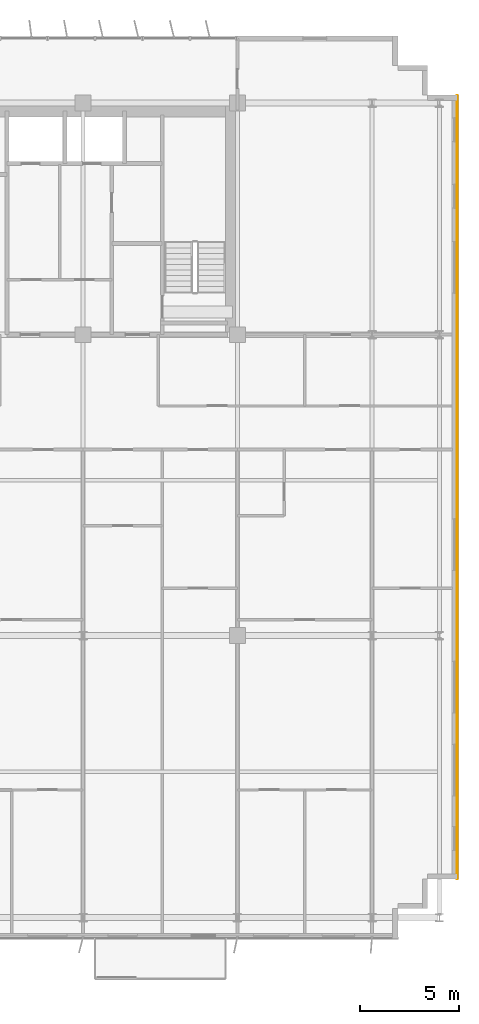
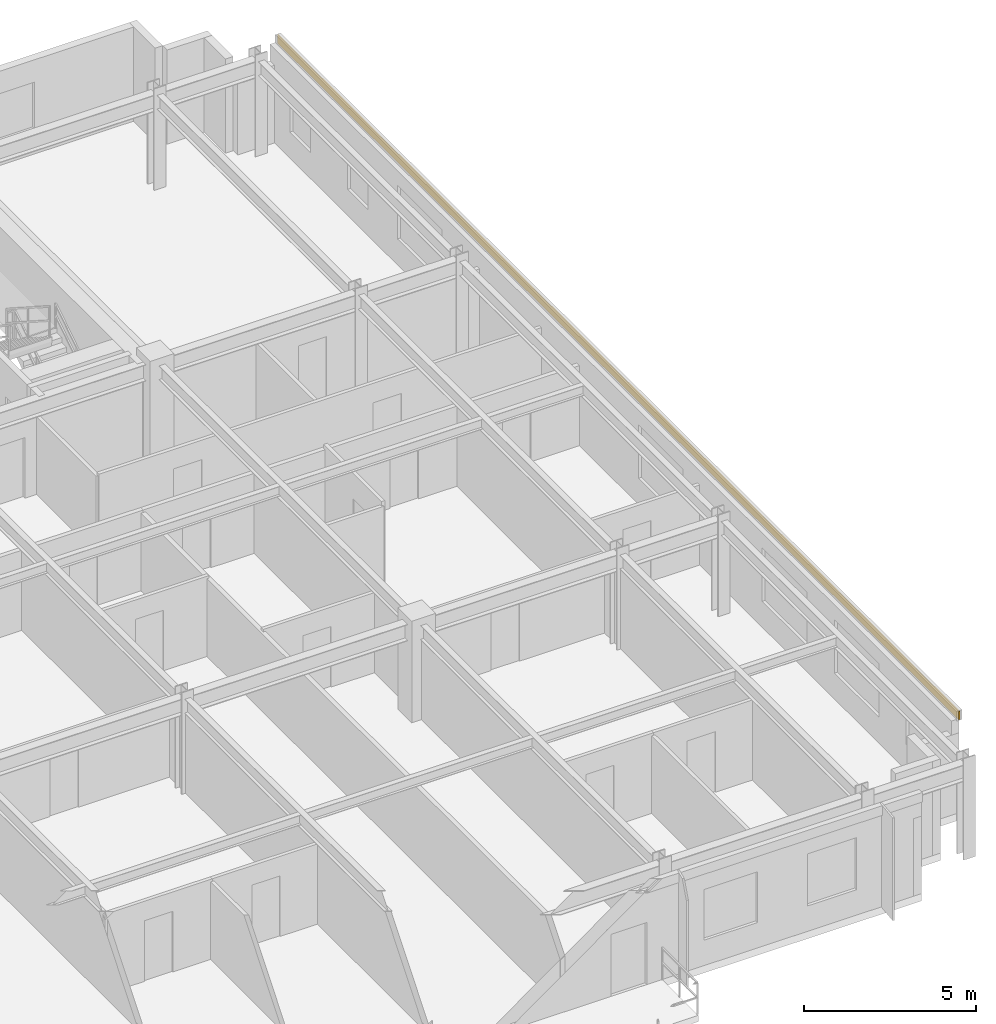
# One storey, part 21 of 21: 1 covering.
"""IFC4 building model written with IfcOpenShell, lengths in metres."""

from ifc_helpers import new_model, si_unit, direction, frame, origin, origin_2d, place, context, subcontext, project, spatial, rectangle, extrude, source, transform, mapped, material, layer, layer_set, type_object, element, save


model = new_model("IFC4")

# Units and contexts
model_context = context("Model", 3, precision=1e-05, world=origin(), true_north=direction((0.0, 1.0)))
body_context = subcontext(model_context, "Body", "Model", "MODEL_VIEW")
ifc_project = project(units=[si_unit("LENGTHUNIT", "METRE"), si_unit("AREAUNIT", "SQUARE_METRE"), si_unit("VOLUMEUNIT", "CUBIC_METRE"), si_unit("PLANEANGLEUNIT", "RADIAN"), si_unit("MASSUNIT", "GRAM", prefix="KILO")], contexts=[model_context])

# Site, building, storey
site_placement = place(None, origin())
site = spatial("IfcSite", under=ifc_project, at=site_placement, CompositionType="ELEMENT")
building_placement = place(site_placement, origin())
building = spatial("IfcBuilding", under=site, at=building_placement, Name="Trelvane Seafront Commons", CompositionType="ELEMENT")
storey_placement = place(building_placement, frame((0.0, 0.0, 110.5)))
storey = spatial("IfcBuildingStorey", under=building, at=storey_placement, Name="L28", CompositionType="ELEMENT", Elevation=110.5)

# Covering
ifc_material = material(Name="Anodised pale-silver aluminium", Category="aluminium")
ifc_layer = layer(ifc_material, 0.034912109375, Name="ARCH-COV-CLAD35")
ifc_layer_set = layer_set([ifc_layer], Name="Anodised pale-silver aluminium")
covering_type = type_object("IfcCoveringType", Name="ARCH-COV-CLAD35", PredefinedType="CLADDING", material=ifc_layer_set)
shared_shape = source(origin(), body_context, "Body", "SweptSolid", [
    extrude(rectangle(XDim=39.60009765625, YDim=0.034912109375, at=origin_2d()), origin(), (0.0, 0.0, 1.0), 0.300048828125),
])
covering_placement = place(storey_placement, frame((69.89990234375, 25.699951171875, 3.2998046875), z_axis=(0.0, 0.0, 1.0), x_axis=(0.0, -1.0, 0.0)))
element("IfcCovering", 1, at=covering_placement, inside=storey, type_object=covering_type, Name="CLD-L28-00116", PredefinedType="CLADDING", context=body_context, shape_type="MappedRepresentation", body=[
    mapped(shared_shape, transform((0.0, 0.0, 0.0), x_axis=(1.0, 0.0, 0.0), y_axis=(0.0, 1.0, 0.0), z_axis=(0.0, 0.0, 1.0), scale=1.0)),
])

save(model, "model.ifc")
